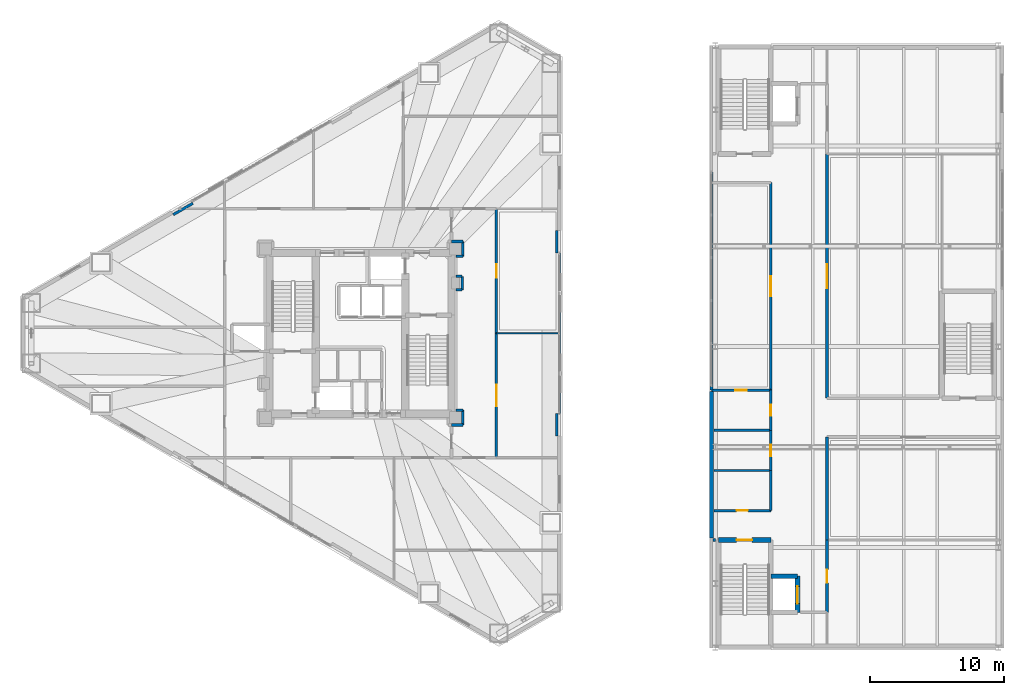
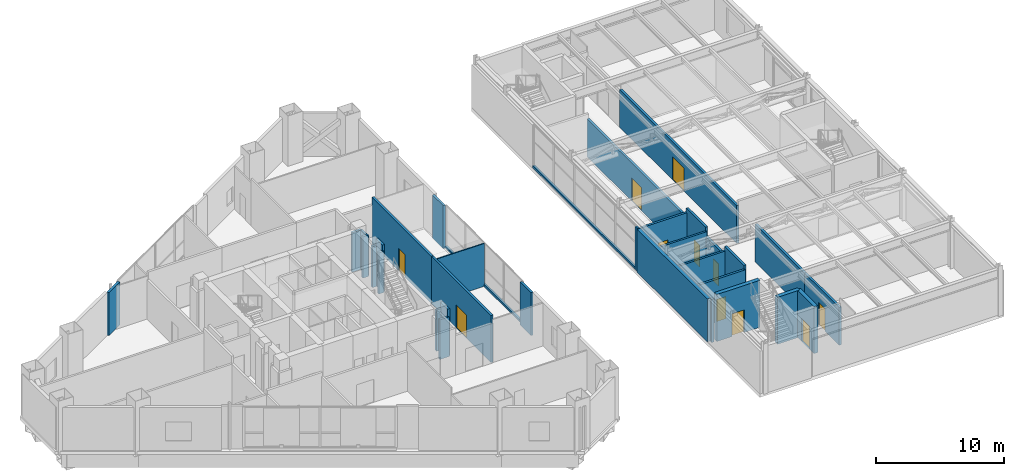
# One storey, part 24 of 29: 34 walls, 11 doors, 11 openings.
"""IFC4 building model written with IfcOpenShell, lengths in metres."""

from ifc_helpers import new_model, si_unit, direction, frame, frame_2d, origin, place, context, subcontext, project, spatial, rectangle, extrude, material, layer, layer_set, type_object, element, fill, save


model = new_model("IFC4")

# Units and contexts
model_context = context("Model", 3, precision=1e-05, world=origin(), true_north=direction((0.0, 1.0)))
body_context = subcontext(model_context, "Body", "Model", "MODEL_VIEW")
ifc_project = project(units=[si_unit("LENGTHUNIT", "METRE"), si_unit("AREAUNIT", "SQUARE_METRE"), si_unit("VOLUMEUNIT", "CUBIC_METRE"), si_unit("PLANEANGLEUNIT", "RADIAN"), si_unit("MASSUNIT", "GRAM", prefix="KILO")], contexts=[model_context])

# Site, building, storey
site_placement = place(None, origin())
site = spatial("IfcSite", under=ifc_project, at=site_placement, CompositionType="ELEMENT")
building_placement = place(site_placement, origin())
building = spatial("IfcBuilding", under=site, at=building_placement, Name="Mersakhor Tower and Convention Hall", CompositionType="ELEMENT")
storey_placement = place(building_placement, frame((0.0, 0.0, 9.60009765625)))
storey = spatial("IfcBuildingStorey", under=building, at=storey_placement, Name="L02", CompositionType="ELEMENT", Elevation=9.60009765625)

# Walls
ifc_material_1 = material(Name="Precast concrete C45/55", Category="concrete")
ifc_layer_1 = layer(ifc_material_1, 0.300048828125)
ifc_layer_set_1 = layer_set([ifc_layer_1], Name="Precast concrete C45/55")
wall_type_1 = type_object("IfcWallType", Name="WL-EXT-300", PredefinedType="SOLIDWALL", material=ifc_layer_set_1)
wall_1_placement = place(storey_placement, frame((55.22509765625, 11.449951171875, 0.0), z_axis=(0.0, 0.0, 1.0), x_axis=(0.0, 1.0, 0.0)))
element("IfcWall", 1, at=wall_1_placement, inside=storey, type_object=wall_type_1, Name="Convention L02 Precast Facade Wall W1", PredefinedType="SOLIDWALL", context=body_context, shape_type="SweptSolid", body=[
    extrude(rectangle(XDim=10.949951171875, YDim=0.300048828125, at=frame_2d((5.47509765625, 0.0))), origin(), (0.0, 0.0, 1.0), 4.08984375),
])
ifc_material_2 = material(Name="Precast concrete C40/50", Category="concrete")
ifc_layer_2 = layer(ifc_material_2, 0.199951171875)
ifc_layer_set_2 = layer_set([ifc_layer_2], Name="Precast concrete C40/50")
wall_type_2 = type_object("IfcWallType", Name="WL-PAR-200", PredefinedType="PARAPET", material=ifc_layer_set_2)
wall_2_placement = place(storey_placement, frame((55.22509765625, 22.800048828125, 0.0), z_axis=(0.0, 0.0, 1.0), x_axis=(0.0, 1.0, 0.0)))
element("IfcWall", 2, at=wall_2_placement, inside=storey, type_object=wall_type_2, Name="Convention L02 West Curtain Wall Upstand", PredefinedType="PARAPET", context=body_context, shape_type="SweptSolid", body=[
    extrude(rectangle(XDim=16.0, YDim=0.199951171875, at=frame_2d((8.0, 0.0))), origin(), (0.0, 0.0, 1.0), 0.199951171875),
])
wall_3_placement = place(storey_placement, frame((15.00830078125, 35.611328125, 0.0), z_axis=(0.0, 0.0, 1.0), x_axis=(0.86605165483, 0.499954529098, 0.0)))
element("IfcWall", 3, at=wall_3_placement, inside=storey, type_object=wall_type_2, Name="L02 Column Pier Cladding Wall F1-C1", PredefinedType="PARAPET", context=body_context, shape_type="SweptSolid", body=[
    extrude(rectangle(XDim=1.699951171875, YDim=0.199951171875, at=frame_2d((0.85009765625, 0.0))), origin(), (0.0, 0.0, 1.0), 4.099853515625),
])
wall_4_placement = place(storey_placement, frame((43.85009765625, 32.736572265625, 0.0), z_axis=(0.0, 0.0, 1.0), x_axis=(0.0, -1.0, 0.0)))
element("IfcWall", 4, at=wall_4_placement, inside=storey, type_object=wall_type_2, Name="L02 Curtain Wall Upstand Sill F2-B2", PredefinedType="PARAPET", context=body_context, shape_type="SweptSolid", body=[
    extrude(rectangle(XDim=11.97314453125, YDim=0.199951171875, at=frame_2d((5.986572265625, 0.0))), origin(), (0.0, 0.0, 1.0), 0.199951171875),
])
for number, where, z_axis, x_axis, name in (
    (5, (43.669921875, 34.4365234375, 0.0), (0.0, 0.0, 1.0), (0.0, -1.0, 0.0), "L02 Column Pier Cladding Wall F2-C1"),
    (6, (43.669921875, 20.763427734375, 0.0), (0.0, 0.0, 1.0), (0.0, -1.0, 0.0), "L02 Column Pier Cladding Wall F2-C2"),
):
    element("IfcWall", number, at=place(storey_placement, frame(where, z_axis=z_axis, x_axis=x_axis)), inside=storey, type_object=wall_type_2, Name=name, PredefinedType="PARAPET", context=body_context, shape_type="SweptSolid", body=[
        extrude(rectangle(XDim=1.699951171875, YDim=0.199951171875, at=frame_2d((0.85009765625, 0.0))), origin(), (0.0, 0.0, 1.0), 4.099853515625),
    ])
ifc_material_3 = material(Name="Moisture-resistant acoustic drywall studwork", Category="other")
ifc_layer_3 = layer(ifc_material_3, 0.175048828125)
ifc_layer_set_3 = layer_set([ifc_layer_3], Name="Moisture-resistant acoustic drywall studwork")
wall_type_3 = type_object("IfcWallType", Name="WL-PLM-175", PredefinedType="PLUMBINGWALL", material=ifc_layer_set_3)
for number, where, z_axis, x_axis, name in (
    (7, (55.39892578125, 16.5, 0.0), (0.0, 0.0, 1.0), (1.0, 0.0, 0.0), "L02 Interior Partition Wall P-075"),
    (8, (55.39892578125, 19.5, 0.0), (0.0, 0.0, 1.0), (1.0, 0.0, 0.0), "L02 Interior Partition Wall P-076"),
):
    element("IfcWall", number, at=place(storey_placement, frame(where, z_axis=z_axis, x_axis=x_axis)), inside=storey, type_object=wall_type_3, Name=name, PredefinedType="PLUMBINGWALL", context=body_context, shape_type="SweptSolid", body=[
        extrude(rectangle(XDim=4.2509765625, YDim=0.175048828125, at=frame_2d((2.12548828125, 0.0))), origin(), (0.0, 0.0, 1.0), 4.08984375),
    ])
ifc_material_4 = material(Name="Lightweight gypsum partition", Category="other")
ifc_layer_4 = layer(ifc_material_4, 0.10009765625)
ifc_layer_set_4 = layer_set([ifc_layer_4], Name="Lightweight gypsum partition")
wall_type_4 = type_object("IfcWallType", Name="WL-PRT-100", PredefinedType="PARTITIONING", material=ifc_layer_set_4)
wall_5_placement = place(storey_placement, frame((43.81005859375, 26.75, 0.0), z_axis=(0.0, 0.0, 1.0), x_axis=(-1.0, 0.0, 0.0)))
element("IfcWall", 9, at=wall_5_placement, inside=storey, type_object=wall_type_4, Name="L02 Interior Partition Wall P-098", PredefinedType="PARTITIONING", context=body_context, shape_type="SweptSolid", body=[
    extrude(rectangle(XDim=4.66015625, YDim=0.10009765625, at=frame_2d((2.330078125, 0.0))), origin(), (0.0, 0.0, 1.0), 4.09033203125),
])
ifc_material_5 = material(Name="Acoustic concrete blockwork and gypsum board", Category="masonry")
ifc_layer_5 = layer(ifc_material_5, 0.199951171875)
ifc_layer_set_5 = layer_set([ifc_layer_5], Name="Acoustic concrete blockwork and gypsum board")
wall_type_5 = type_object("IfcWallType", Name="WL-PRT-200", PredefinedType="PARTITIONING", material=ifc_layer_set_5)
wall_6_placement = place(storey_placement, frame((55.52490234375, 11.300048828125, 0.0), z_axis=(0.0, 0.0, 1.0), x_axis=(-1.0, 0.0, 0.0)))
element("IfcWall", 10, at=wall_6_placement, inside=storey, type_object=wall_type_5, Name="L02 Interior Partition Wall P-019", PredefinedType="PARTITIONING", context=body_context, shape_type="SweptSolid", body=[
    extrude(rectangle(XDim=0.205810546875, YDim=0.199951171875, at=frame_2d((0.10302734375, 0.0))), origin(), (0.0, 0.0, 1.0), 4.08984375),
])

# Wall, opening, door
wall_7_placement = place(storey_placement, frame((55.39892578125, 13.5, 0.0), z_axis=(0.0, 0.0, 1.0), x_axis=(1.0, 0.0, 0.0)))
wall_7 = element("IfcWall", 11, at=wall_7_placement, inside=storey, type_object=wall_type_5, Name="L02 Interior Partition Wall P-020", PredefinedType="PARTITIONING", context=body_context, shape_type="SweptSolid", body=[
    extrude(rectangle(XDim=4.2509765625, YDim=0.199951171875, at=frame_2d((2.12548828125, 0.0))), origin(), (0.0, 0.0, 1.0), 4.08984375),
])
opening_1_placement = place(wall_7_placement, frame((1.700439453125, 0.0, 0.0)))
opening_1 = element("IfcOpeningElement", 12, at=opening_1_placement, cuts=wall_7, Name="Opening SVD-01", PredefinedType="OPENING", context=body_context, shape_type="SweptSolid", body=[
    extrude(rectangle(XDim=0.85009765625, YDim=2.10009765625, at=frame_2d((0.425048828125, 1.050048828125))), frame((0.0, 0.10986328125, 0.0), z_axis=(0.0, -1.0, 0.0), x_axis=(1.0, 0.0, 0.0)), (0.0, 0.0, 1.0), 0.219970703125),
])
ifc_material_6 = material(Name="Fire-rated hardwood leaf and painted steel frame", Category="steel")
door_type_1 = type_object("IfcDoorType", Name="DR-INT-SVC-085x210", OperationType="NOTDEFINED", PredefinedType="DOOR", material=ifc_material_6)
door_1_placement = place(opening_1_placement, origin())
door_1 = element("IfcDoor", 13, at=door_1_placement, inside=storey, type_object=door_type_1, Name="L02 Convention Hall Concourse Corridor to Convention Public Male Toilets Door", OperationType="SINGLE_SWING_LEFT", OverallHeight=2.10009765625, OverallWidth=0.85009765625, PredefinedType="DOOR", context=body_context, shape_type="SweptSolid", body=[
    extrude(rectangle(XDim=0.85009765625, YDim=2.10009765625, at=frame_2d((0.425048828125, 1.050048828125))), frame((0.0, 0.02490234375, 0.0), z_axis=(0.0, -1.0, 0.0), x_axis=(1.0, 0.0, 0.0)), (0.0, 0.0, 1.0), 0.050048828125),
])
fill(opening_1, door_1)

# Wall
wall_8_placement = place(storey_placement, frame((59.64990234375, 13.5, 0.0), z_axis=(0.0, 0.0, 1.0), x_axis=(0.0, 1.0, 0.0)))
element("IfcWall", 14, at=wall_8_placement, inside=storey, type_object=wall_type_5, Name="L02 Interior Partition Wall P-021", PredefinedType="PARTITIONING", context=body_context, shape_type="SweptSolid", body=[
    extrude(rectangle(XDim=3.0, YDim=0.199951171875, at=frame_2d((1.5, 0.0))), origin(), (0.0, 0.0, 1.0), 4.47998046875),
])

# Wall, opening, door
wall_9_placement = place(storey_placement, frame((59.64990234375, 16.5, 0.0), z_axis=(0.0, 0.0, 1.0), x_axis=(0.0, 1.0, 0.0)))
wall_9 = element("IfcWall", 15, at=wall_9_placement, inside=storey, type_object=wall_type_5, Name="L02 Interior Partition Wall P-022", PredefinedType="PARTITIONING", context=body_context, shape_type="SweptSolid", body=[
    extrude(rectangle(XDim=3.0, YDim=0.199951171875, at=frame_2d((1.5, 0.0))), origin(), (0.0, 0.0, 1.0), 3.614013671875),
])
opening_2_placement = place(wall_9_placement, frame((1.074951171875, 0.0, 0.0)))
opening_2 = element("IfcOpeningElement", 16, at=opening_2_placement, cuts=wall_9, Name="Opening SVD-01", PredefinedType="OPENING", context=body_context, shape_type="SweptSolid", body=[
    extrude(rectangle(XDim=0.85009765625, YDim=2.10009765625, at=frame_2d((0.425048828125, 1.050048828125))), frame((0.0, 0.10986328125, 0.0), z_axis=(0.0, -1.0, 0.0), x_axis=(1.0, 0.0, 0.0)), (0.0, 0.0, 1.0), 0.219970703125),
])
door_2_placement = place(opening_2_placement, origin())
door_2 = element("IfcDoor", 17, at=door_2_placement, inside=storey, type_object=door_type_1, Name="L02 Convention Hall Concourse Corridor to Convention Public Female Toilets Door", OperationType="SINGLE_SWING_RIGHT", OverallHeight=2.10009765625, OverallWidth=0.85009765625, PredefinedType="DOOR", context=body_context, shape_type="SweptSolid", body=[
    extrude(rectangle(XDim=0.85009765625, YDim=2.10009765625, at=frame_2d((0.425048828125, 1.050048828125))), frame((0.0, 0.02490234375, 0.0), z_axis=(0.0, -1.0, 0.0), x_axis=(1.0, 0.0, 0.0)), (0.0, 0.0, 1.0), 0.050048828125),
])
fill(opening_2, door_2)

wall_10_placement = place(storey_placement, frame((59.64990234375, 19.5, 0.0), z_axis=(0.0, 0.0, 1.0), x_axis=(0.0, 1.0, 0.0)))
wall_10 = element("IfcWall", 18, at=wall_10_placement, inside=storey, type_object=wall_type_5, Name="L02 Interior Partition Wall P-023", PredefinedType="PARTITIONING", context=body_context, shape_type="SweptSolid", body=[
    extrude(rectangle(XDim=3.0, YDim=0.199951171875, at=frame_2d((1.5, 0.0))), origin(), (0.0, 0.0, 1.0), 4.47998046875),
])
opening_3_placement = place(wall_10_placement, frame((1.074951171875, 0.0, 0.0)))
opening_3 = element("IfcOpeningElement", 19, at=opening_3_placement, cuts=wall_10, Name="Opening SVD-01", PredefinedType="OPENING", context=body_context, shape_type="SweptSolid", body=[
    extrude(rectangle(XDim=0.85009765625, YDim=2.10009765625, at=frame_2d((0.425048828125, 1.050048828125))), frame((0.0, 0.10986328125, 0.0), z_axis=(0.0, -1.0, 0.0), x_axis=(1.0, 0.0, 0.0)), (0.0, 0.0, 1.0), 0.219970703125),
])
door_3_placement = place(opening_3_placement, origin())
door_3 = element("IfcDoor", 20, at=door_3_placement, inside=storey, type_object=door_type_1, Name="L02 Convention Hall Concourse Corridor to Convention Accessible Toilet WC Door", OperationType="SINGLE_SWING_LEFT", OverallHeight=2.10009765625, OverallWidth=0.85009765625, PredefinedType="DOOR", context=body_context, shape_type="SweptSolid", body=[
    extrude(rectangle(XDim=0.85009765625, YDim=2.10009765625, at=frame_2d((0.425048828125, 1.050048828125))), frame((0.0, 0.02490234375, 0.0), z_axis=(0.0, -1.0, 0.0), x_axis=(1.0, 0.0, 0.0)), (0.0, 0.0, 1.0), 0.050048828125),
])
fill(opening_3, door_3)

wall_11_placement = place(storey_placement, frame((59.64990234375, 22.5, 0.0), z_axis=(0.0, 0.0, 1.0), x_axis=(0.0, 1.0, 0.0)))
wall_11 = element("IfcWall", 21, at=wall_11_placement, inside=storey, type_object=wall_type_5, Name="L02 Interior Partition Wall P-024", PredefinedType="PARTITIONING", context=body_context, shape_type="SweptSolid", body=[
    extrude(rectangle(XDim=15.5, YDim=0.199951171875, at=frame_2d((7.75, 0.0))), origin(), (0.0, 0.0, 1.0), 3.614013671875),
])
opening_4_placement = place(wall_11_placement, frame((7.0, 0.0, 0.0)))
opening_4 = element("IfcOpeningElement", 22, at=opening_4_placement, cuts=wall_11, Name="Opening LD-LOB", PredefinedType="OPENING", context=body_context, shape_type="SweptSolid", body=[
    extrude(rectangle(XDim=1.5, YDim=2.199951171875, at=frame_2d((0.75, 1.10009765625))), frame((0.0, 0.10986328125, 0.0), z_axis=(0.0, -1.0, 0.0), x_axis=(1.0, 0.0, 0.0)), (0.0, 0.0, 1.0), 0.219970703125),
])
ifc_material_7 = material(Name="Fire-rated hardwood leaf and painted steel frame", Category="steel")
door_type_2 = type_object("IfcDoorType", Name="DR-INT-LOB-150x220", OperationType="NOTDEFINED", PredefinedType="DOOR", material=ifc_material_7)
door_4_placement = place(opening_4_placement, origin())
door_4 = element("IfcDoor", 23, at=door_4_placement, inside=storey, type_object=door_type_2, Name="L02 Convention Hall Concourse Corridor to Plenary Pre-Function Gallery Door", OperationType="DOUBLE_DOOR_SINGLE_SWING", OverallHeight=2.199951171875, OverallWidth=1.5, PredefinedType="DOOR", context=body_context, shape_type="SweptSolid", body=[
    extrude(rectangle(XDim=1.5, YDim=2.199951171875, at=frame_2d((0.75, 1.10009765625))), frame((0.0, 0.02490234375, 0.0), z_axis=(0.0, -1.0, 0.0), x_axis=(1.0, 0.0, 0.0)), (0.0, 0.0, 1.0), 0.050048828125),
])
fill(opening_4, door_4)

wall_12_placement = place(storey_placement, frame((63.85009765625, 40.14990234375, 0.0), z_axis=(0.0, 0.0, 1.0), x_axis=(0.0, -1.0, 0.0)))
wall_12 = element("IfcWall", 24, at=wall_12_placement, inside=storey, type_object=wall_type_5, Name="L02 Interior Partition Wall P-029", PredefinedType="PARTITIONING", context=body_context, shape_type="SweptSolid", body=[
    extrude(rectangle(XDim=18.25, YDim=0.199951171875, at=frame_2d((9.125, 0.0))), origin(), (0.0, 0.0, 1.0), 3.614013671875),
])
opening_5_placement = place(wall_12_placement, frame((8.22509765625, 0.0, 0.0)))
opening_5 = element("IfcOpeningElement", 25, at=opening_5_placement, cuts=wall_12, Name="Opening HD-01", PredefinedType="OPENING", context=body_context, shape_type="SweptSolid", body=[
    extrude(rectangle(XDim=1.800048828125, YDim=2.199951171875, at=frame_2d((0.89990234375, 1.10009765625))), frame((0.0, 0.10986328125, 0.0), z_axis=(0.0, -1.0, 0.0), x_axis=(1.0, 0.0, 0.0)), (0.0, 0.0, 1.0), 0.219970703125),
])
ifc_material_8 = material(Name="Fire-rated hardwood leaf and painted steel frame", Category="steel")
door_type_3 = type_object("IfcDoorType", Name="DR-INT-HALL-180x220", OperationType="NOTDEFINED", PredefinedType="DOOR", material=ifc_material_8)
door_5_placement = place(opening_5_placement, origin())
door_5 = element("IfcDoor", 26, at=door_5_placement, inside=storey, type_object=door_type_3, Name="L02 Convention Hall Concourse Corridor to Main Plenary Auditorium Hall Door", OperationType="DOUBLE_DOOR_SINGLE_SWING", OverallHeight=2.199951171875, OverallWidth=1.800048828125, PredefinedType="DOOR", context=body_context, shape_type="SweptSolid", body=[
    extrude(rectangle(XDim=1.800048828125, YDim=2.199951171875, at=frame_2d((0.89990234375, 1.10009765625))), frame((0.0, 0.02490234375, 0.0), z_axis=(0.0, -1.0, 0.0), x_axis=(1.0, 0.0, 0.0)), (0.0, 0.0, 1.0), 0.050048828125),
])
fill(opening_5, door_5)

# Wall
wall_13_placement = place(storey_placement, frame((63.85009765625, 19.0, 0.0), z_axis=(0.0, 0.0, 1.0), x_axis=(0.0, -1.0, 0.0)))
element("IfcWall", 27, at=wall_13_placement, inside=storey, type_object=wall_type_5, Name="L02 Interior Partition Wall P-033", PredefinedType="PARTITIONING", context=body_context, shape_type="SweptSolid", body=[
    extrude(rectangle(XDim=7.699951171875, YDim=0.199951171875, at=frame_2d((3.85009765625, 0.0))), origin(), (0.0, 0.0, 1.0), 3.614013671875),
])

# Wall, opening, door
wall_14_placement = place(storey_placement, frame((63.85009765625, 11.300048828125, 0.0), z_axis=(0.0, 0.0, 1.0), x_axis=(0.0, -1.0, 0.0)))
wall_14 = element("IfcWall", 28, at=wall_14_placement, inside=storey, type_object=wall_type_5, Name="L02 Interior Partition Wall P-034", PredefinedType="PARTITIONING", context=body_context, shape_type="SweptSolid", body=[
    extrude(rectangle(XDim=5.400146484375, YDim=0.199951171875, at=frame_2d((2.7001953125, 0.0))), origin(), (0.0, 0.0, 1.0), 3.614013671875),
])
opening_6_placement = place(wall_14_placement, frame((2.199951171875, 0.0, 0.0)))
opening_6 = element("IfcOpeningElement", 29, at=opening_6_placement, cuts=wall_14, Name="Opening FD-01", PredefinedType="OPENING", context=body_context, shape_type="SweptSolid", body=[
    extrude(rectangle(XDim=1.0, YDim=2.14990234375, at=frame_2d((0.5, 1.074951171875))), frame((0.0, 0.10986328125, 0.0), z_axis=(0.0, -1.0, 0.0), x_axis=(1.0, 0.0, 0.0)), (0.0, 0.0, 1.0), 0.219970703125),
])
ifc_material_9 = material(Name="Fire-rated hardwood leaf and painted steel frame", Category="steel")
door_type_4 = type_object("IfcDoorType", Name="DR-INT-FLT-100x215", OperationType="NOTDEFINED", PredefinedType="DOOR", material=ifc_material_9)
door_6_placement = place(opening_6_placement, origin())
door_6 = element("IfcDoor", 30, at=door_6_placement, inside=storey, type_object=door_type_4, Name="L02 Convention Hall Concourse Corridor to Commercial Banquet Catering Kitchen Door", OperationType="SINGLE_SWING_RIGHT", OverallHeight=2.14990234375, OverallWidth=1.0, PredefinedType="DOOR", context=body_context, shape_type="SweptSolid", body=[
    extrude(rectangle(XDim=1.0, YDim=2.14990234375, at=frame_2d((0.5, 1.074951171875))), frame((0.0, 0.02490234375, 0.0), z_axis=(0.0, -1.0, 0.0), x_axis=(1.0, 0.0, 0.0)), (0.0, 0.0, 1.0), 0.050048828125),
])
fill(opening_6, door_6)

# Walls
wall_15_placement = place(storey_placement, frame((36.64990234375, 21.0, 0.0), z_axis=(0.0, 0.0, 1.0), x_axis=(-1.0, 0.0, 0.0)))
element("IfcWall", 31, at=wall_15_placement, inside=storey, type_object=wall_type_5, Name="L02 Interior Partition Wall P-062", PredefinedType="PARTITIONING", context=body_context, shape_type="SweptSolid", body=[
    extrude(rectangle(XDim=0.52490234375, YDim=0.199951171875, at=frame_2d((0.262451171875, 0.0))), origin(), (0.0, 0.0, 1.0), 3.92822265625),
])
wall_16_placement = place(storey_placement, frame((36.125, 30.0, 0.0), z_axis=(0.0, 0.0, 1.0), x_axis=(1.0, 0.0, 0.0)))
element("IfcWall", 32, at=wall_16_placement, inside=storey, type_object=wall_type_5, Name="L02 Interior Partition Wall P-063", PredefinedType="PARTITIONING", context=body_context, shape_type="SweptSolid", body=[
    extrude(rectangle(XDim=0.47509765625, YDim=0.199951171875, at=frame_2d((0.237548828125, 0.0))), origin(), (0.0, 0.0, 1.0), 3.92822265625),
])
wall_17_placement = place(storey_placement, frame((36.60009765625, 30.0, 0.0), z_axis=(0.0, 0.0, 1.0), x_axis=(0.0, 1.0, 0.0)))
element("IfcWall", 33, at=wall_17_placement, inside=storey, type_object=wall_type_5, Name="L02 Interior Partition Wall P-064", PredefinedType="PARTITIONING", context=body_context, shape_type="SweptSolid", body=[
    extrude(rectangle(XDim=1.0, YDim=0.199951171875, at=frame_2d((0.5, 0.0))), origin(), (0.0, 0.0, 1.0), 4.47998046875),
])
wall_18_placement = place(storey_placement, frame((36.570068359375, 31.0, 0.0), z_axis=(0.0, 0.0, 1.0), x_axis=(-1.0, 0.0, 0.0)))
element("IfcWall", 34, at=wall_18_placement, inside=storey, type_object=wall_type_5, Name="L02 Interior Partition Wall P-065", PredefinedType="PARTITIONING", context=body_context, shape_type="SweptSolid", body=[
    extrude(rectangle(XDim=0.445068359375, YDim=0.199951171875, at=frame_2d((0.22265625, 0.0))), origin(), (0.0, 0.0, 1.0), 3.92822265625),
])
wall_19_placement = place(storey_placement, frame((36.125, 32.5, 0.0), z_axis=(0.0, 0.0, 1.0), x_axis=(1.0, 0.0, 0.0)))
element("IfcWall", 35, at=wall_19_placement, inside=storey, type_object=wall_type_5, Name="L02 Interior Partition Wall P-066", PredefinedType="PARTITIONING", context=body_context, shape_type="SweptSolid", body=[
    extrude(rectangle(XDim=0.52490234375, YDim=0.199951171875, at=frame_2d((0.262451171875, 0.0))), origin(), (0.0, 0.0, 1.0), 3.92822265625),
])
wall_20_placement = place(storey_placement, frame((36.64990234375, 32.5, 0.0), z_axis=(0.0, 0.0, 1.0), x_axis=(0.0, 1.0, 0.0)))
element("IfcWall", 36, at=wall_20_placement, inside=storey, type_object=wall_type_5, Name="L02 Interior Partition Wall P-067", PredefinedType="PARTITIONING", context=body_context, shape_type="SweptSolid", body=[
    extrude(rectangle(XDim=1.10009765625, YDim=0.199951171875, at=frame_2d((0.550048828125, 0.0))), origin(), (0.0, 0.0, 1.0), 3.77734375),
])
wall_21_placement = place(storey_placement, frame((36.64990234375, 33.60009765625, 0.0), z_axis=(0.0, 0.0, 1.0), x_axis=(-1.0, 0.0, 0.0)))
element("IfcWall", 37, at=wall_21_placement, inside=storey, type_object=wall_type_5, Name="L02 Interior Partition Wall P-068", PredefinedType="PARTITIONING", context=body_context, shape_type="SweptSolid", body=[
    extrude(rectangle(XDim=0.849853515625, YDim=0.199951171875, at=frame_2d((0.4248046875, 0.0))), origin(), (0.0, 0.0, 1.0), 3.77734375),
])

# Wall, opening, door
wall_22_placement = place(storey_placement, frame((39.14990234375, 36.050048828125, 0.0), z_axis=(0.0, 0.0, 1.0), x_axis=(0.0, -1.0, 0.0)))
wall_22 = element("IfcWall", 38, at=wall_22_placement, inside=storey, type_object=wall_type_5, Name="L02 Interior Partition Wall P-070", PredefinedType="PARTITIONING", context=body_context, shape_type="SweptSolid", body=[
    extrude(rectangle(XDim=9.300048828125, YDim=0.199951171875, at=frame_2d((4.64990234375, 0.0))), origin(), (0.0, 0.0, 1.0), 4.47998046875),
])
opening_7_placement = place(wall_22_placement, frame((4.14990234375, 0.0, 0.0)))
opening_7 = element("IfcOpeningElement", 39, at=opening_7_placement, cuts=wall_22, Name="Opening FD-01", PredefinedType="OPENING", context=body_context, shape_type="SweptSolid", body=[
    extrude(rectangle(XDim=1.0, YDim=2.14990234375, at=frame_2d((0.5, 1.074951171875))), frame((0.0, 0.10986328125, 0.0), z_axis=(0.0, -1.0, 0.0), x_axis=(1.0, 0.0, 0.0)), (0.0, 0.0, 1.0), 0.219970703125),
])
door_7_placement = place(opening_7_placement, origin())
door_7 = element("IfcDoor", 40, at=door_7_placement, inside=storey, type_object=door_type_4, Name="L02 L02 Primary Healthcare Clinical East Corridor to Patient Waiting Lounge Door", OperationType="SINGLE_SWING_LEFT", OverallHeight=2.14990234375, OverallWidth=1.0, PredefinedType="DOOR", context=body_context, shape_type="SweptSolid", body=[
    extrude(rectangle(XDim=1.0, YDim=2.14990234375, at=frame_2d((0.5, 1.074951171875))), frame((0.0, 0.02490234375, 0.0), z_axis=(0.0, -1.0, 0.0), x_axis=(1.0, 0.0, 0.0)), (0.0, 0.0, 1.0), 0.050048828125),
])
fill(opening_7, door_7)

wall_23_placement = place(storey_placement, frame((39.14990234375, 26.75, 0.0), z_axis=(0.0, 0.0, 1.0), x_axis=(0.0, -1.0, 0.0)))
wall_23 = element("IfcWall", 41, at=wall_23_placement, inside=storey, type_object=wall_type_5, Name="L02 Interior Partition Wall P-071", PredefinedType="PARTITIONING", context=body_context, shape_type="SweptSolid", body=[
    extrude(rectangle(XDim=9.300048828125, YDim=0.199951171875, at=frame_2d((4.64990234375, 0.0))), origin(), (0.0, 0.0, 1.0), 4.47998046875),
])
opening_8_placement = place(wall_23_placement, frame((3.85009765625, 0.0, 0.0)))
opening_8 = element("IfcOpeningElement", 42, at=opening_8_placement, cuts=wall_23, Name="Opening CD-01", PredefinedType="OPENING", context=body_context, shape_type="SweptSolid", body=[
    extrude(rectangle(XDim=1.60009765625, YDim=2.199951171875, at=frame_2d((0.800048828125, 1.10009765625))), frame((0.0, 0.10986328125, 0.0), z_axis=(0.0, -1.0, 0.0), x_axis=(1.0, 0.0, 0.0)), (0.0, 0.0, 1.0), 0.219970703125),
])
ifc_material_10 = material(Name="Fire-rated hardwood leaf and painted steel frame", Category="steel")
door_type_5 = type_object("IfcDoorType", Name="DR-INT-COR-160x220", OperationType="NOTDEFINED", PredefinedType="DOOR", material=ifc_material_10)
door_8_placement = place(opening_8_placement, origin())
door_8 = element("IfcDoor", 43, at=door_8_placement, inside=storey, type_object=door_type_5, Name="L02 L02 Primary Healthcare Clinical East Corridor to Diagnostic Ultrasound Room Door", OperationType="DOUBLE_DOOR_SINGLE_SWING", OverallHeight=2.199951171875, OverallWidth=1.60009765625, PredefinedType="DOOR", context=body_context, shape_type="SweptSolid", body=[
    extrude(rectangle(XDim=1.60009765625, YDim=2.199951171875, at=frame_2d((0.800048828125, 1.10009765625))), frame((0.0, 0.02490234375, 0.0), z_axis=(0.0, -1.0, 0.0), x_axis=(1.0, 0.0, 0.0)), (0.0, 0.0, 1.0), 0.050048828125),
])
fill(opening_8, door_8)

# Walls
wall_24_placement = place(storey_placement, frame((35.800048828125, 19.89990234375, 0.0), z_axis=(0.0, 0.0, 1.0), x_axis=(1.0, 0.0, 0.0)))
element("IfcWall", 44, at=wall_24_placement, inside=storey, type_object=wall_type_5, Name="L02 Interior Partition Wall P-073", PredefinedType="PARTITIONING", context=body_context, shape_type="SweptSolid", body=[
    extrude(rectangle(XDim=0.849853515625, YDim=0.199951171875, at=frame_2d((0.4248046875, 0.0))), origin(), (0.0, 0.0, 1.0), 3.77734375),
])
wall_25_placement = place(storey_placement, frame((36.64990234375, 19.89990234375, 0.0), z_axis=(0.0, 0.0, 1.0), x_axis=(0.0, 1.0, 0.0)))
element("IfcWall", 45, at=wall_25_placement, inside=storey, type_object=wall_type_5, Name="L02 Interior Partition Wall P-074", PredefinedType="PARTITIONING", context=body_context, shape_type="SweptSolid", body=[
    extrude(rectangle(XDim=1.10009765625, YDim=0.199951171875, at=frame_2d((0.550048828125, 0.0))), origin(), (0.0, 0.0, 1.0), 4.47998046875),
])

# Wall, opening, door
wall_26_placement = place(storey_placement, frame((55.22509765625, 22.5, 0.0), z_axis=(0.0, 0.0, 1.0), x_axis=(1.0, 0.0, 0.0)))
wall_26 = element("IfcWall", 46, at=wall_26_placement, inside=storey, type_object=wall_type_5, Name="L02 Interior Partition Wall P-077", PredefinedType="PARTITIONING", context=body_context, shape_type="SweptSolid", body=[
    extrude(rectangle(XDim=4.4248046875, YDim=0.199951171875, at=frame_2d((2.21240234375, 0.0))), origin(), (0.0, 0.0, 1.0), 4.08984375),
])
opening_9_placement = place(wall_26_placement, frame((1.78759765625, 0.0, 0.0)))
opening_9 = element("IfcOpeningElement", 47, at=opening_9_placement, cuts=wall_26, Name="Opening SVD-01", PredefinedType="OPENING", context=body_context, shape_type="SweptSolid", body=[
    extrude(rectangle(XDim=0.85009765625, YDim=2.10009765625, at=frame_2d((0.425048828125, 1.050048828125))), frame((0.0, 0.10986328125, 0.0), z_axis=(0.0, -1.0, 0.0), x_axis=(1.0, 0.0, 0.0)), (0.0, 0.0, 1.0), 0.219970703125),
])
door_9_placement = place(opening_9_placement, origin())
door_9 = element("IfcDoor", 48, at=door_9_placement, inside=storey, type_object=door_type_1, Name="L02 Convention Accessible Toilet WC to Plenary Pre-Function Gallery Door", OperationType="SINGLE_SWING_RIGHT", OverallHeight=2.10009765625, OverallWidth=0.85009765625, PredefinedType="DOOR", context=body_context, shape_type="SweptSolid", body=[
    extrude(rectangle(XDim=0.85009765625, YDim=2.10009765625, at=frame_2d((0.425048828125, 1.050048828125))), frame((0.0, 0.02490234375, 0.0), z_axis=(0.0, -1.0, 0.0), x_axis=(1.0, 0.0, 0.0)), (0.0, 0.0, 1.0), 0.050048828125),
])
fill(opening_9, door_9)

# Wall
wall_27_placement = place(storey_placement, frame((55.22509765625, 22.530029296875, 0.0), z_axis=(0.0, 0.0, 1.0), x_axis=(0.0, 1.0, 0.0)))
element("IfcWall", 49, at=wall_27_placement, inside=storey, type_object=wall_type_5, Name="L02 Interior Partition Wall P-087", PredefinedType="PARTITIONING", context=body_context, shape_type="SweptSolid", body=[
    extrude(rectangle(XDim=0.27001953125, YDim=0.199951171875, at=frame_2d((0.135009765625, 0.0))), origin(), (0.0, 0.0, 1.0), 4.08984375),
])

# Wall, opening, door
ifc_material_11 = material(Name="Concrete C50/60", Category="concrete")
ifc_layer_6 = layer(ifc_material_11, 0.35009765625)
ifc_layer_set_6 = layer_set([ifc_layer_6], Name="Concrete C50/60")
wall_type_6 = type_object("IfcWallType", Name="WL-SHR-350", PredefinedType="SHEAR", material=ifc_layer_set_6)
wall_28_placement = place(storey_placement, frame((61.64990234375, 5.89990234375, 0.0), z_axis=(0.0, 0.0, 1.0), x_axis=(0.0, 1.0, 0.0)))
wall_28 = element("IfcWall", 50, at=wall_28_placement, inside=storey, type_object=wall_type_6, Name="L02 CVL1 Shaft Front Wall", PredefinedType="SHEAR", context=body_context, shape_type="SweptSolid", body=[
    extrude(rectangle(XDim=2.7001953125, YDim=0.35009765625, at=frame_2d((1.35009765625, 0.0))), origin(), (0.0, 0.0, 1.0), 4.47998046875),
])
opening_10_placement = place(wall_28_placement, frame((0.64990234375, 0.0, 0.0)))
opening_10 = element("IfcOpeningElement", 51, at=opening_10_placement, cuts=wall_28, Name="Opening LD-CVL1", PredefinedType="OPENING", context=body_context, shape_type="SweptSolid", body=[
    extrude(rectangle(XDim=1.300048828125, YDim=2.199951171875, at=frame_2d((0.64990234375, 1.10009765625))), frame((0.0, 0.18505859375, 0.0), z_axis=(0.0, -1.0, 0.0), x_axis=(1.0, 0.0, 0.0)), (0.0, 0.0, 1.0), 0.3701171875),
])
ifc_material_12 = material(Name="Fire-rated brushed stainless steel sliding landing door", Category="steel")
door_type_6 = type_object("IfcDoorType", Name="DR-LIFT-SLD-130x220", OperationType="NOTDEFINED", PredefinedType="DOOR", material=ifc_material_12)
door_10_placement = place(opening_10_placement, origin())
door_10 = element("IfcDoor", 52, at=door_10_placement, inside=storey, type_object=door_type_6, Name="L02 Convention Lift Landing Door LD-CVL1", OperationType="SLIDING_TO_LEFT", OverallHeight=2.199951171875, OverallWidth=1.300048828125, PredefinedType="DOOR", context=body_context, shape_type="SweptSolid", body=[
    extrude(rectangle(XDim=1.300048828125, YDim=2.199951171875, at=frame_2d((0.64990234375, 1.10009765625))), frame((0.0, 0.02490234375, 0.0), z_axis=(0.0, -1.0, 0.0), x_axis=(1.0, 0.0, 0.0)), (0.0, 0.0, 1.0), 0.050048828125),
])
fill(opening_10, door_10)

# Wall
wall_29_placement = place(storey_placement, frame((59.64990234375, 8.60009765625, 0.0), z_axis=(0.0, 0.0, 1.0), x_axis=(1.0, 0.0, 0.0)))
element("IfcWall", 53, at=wall_29_placement, inside=storey, type_object=wall_type_6, Name="L02 CVL1 Shaft North Wall", PredefinedType="SHEAR", context=body_context, shape_type="SweptSolid", body=[
    extrude(rectangle(XDim=2.0, YDim=0.35009765625, at=frame_2d((1.0, 0.0))), origin(), (0.0, 0.0, 1.0), 4.47998046875),
])

# Wall, opening, door
wall_30_placement = place(storey_placement, frame((55.75, 11.300048828125, 0.0), z_axis=(0.0, 0.0, 1.0), x_axis=(1.0, 0.0, 0.0)))
wall_30 = element("IfcWall", 54, at=wall_30_placement, inside=storey, type_object=wall_type_6, Name="L02 CHST1 North Shear Wall", PredefinedType="SHEAR", context=body_context, shape_type="SweptSolid", body=[
    extrude(rectangle(XDim=3.89990234375, YDim=0.35009765625, at=frame_2d((1.949951171875, 0.0))), origin(), (0.0, 0.0, 1.0), 4.47998046875),
])
opening_11_placement = place(wall_30_placement, frame((1.35009765625, 0.0, 0.0)))
opening_11 = element("IfcOpeningElement", 55, at=opening_11_placement, cuts=wall_30, Name="Opening SD-01", PredefinedType="OPENING", context=body_context, shape_type="SweptSolid", body=[
    extrude(rectangle(XDim=1.14990234375, YDim=2.14990234375, at=frame_2d((0.574951171875, 1.074951171875))), frame((0.0, 0.18505859375, 0.0), z_axis=(0.0, -1.0, 0.0), x_axis=(1.0, 0.0, 0.0)), (0.0, 0.0, 1.0), 0.3701171875),
])
ifc_material_13 = material(Name="Fire-rated hardwood leaf and painted steel frame", Category="steel")
door_type_7 = type_object("IfcDoorType", Name="DR-INT-STAIR-115x215", OperationType="NOTDEFINED", PredefinedType="DOOR", material=ifc_material_13)
door_11_placement = place(opening_11_placement, origin())
door_11 = element("IfcDoor", 56, at=door_11_placement, inside=storey, type_object=door_type_7, Name="L02 Convention Stair CH-ST1 Door", OperationType="SINGLE_SWING_LEFT", OverallHeight=2.14990234375, OverallWidth=1.14990234375, PredefinedType="DOOR", context=body_context, shape_type="SweptSolid", body=[
    extrude(rectangle(XDim=1.14990234375, YDim=2.14990234375, at=frame_2d((0.574951171875, 1.074951171875))), frame((0.0, 0.02490234375, 0.0), z_axis=(0.0, -1.0, 0.0), x_axis=(1.0, 0.0, 0.0)), (0.0, 0.0, 1.0), 0.050048828125),
])
fill(opening_11, door_11)

save(model, "model.ifc")
